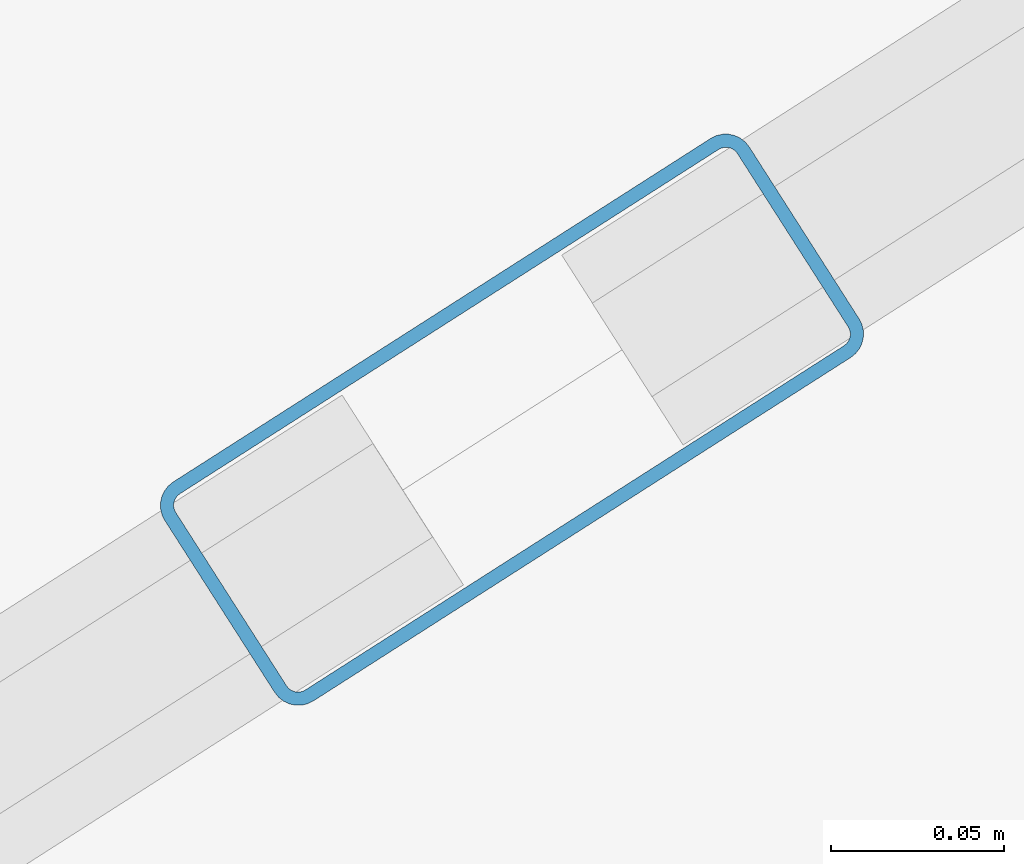
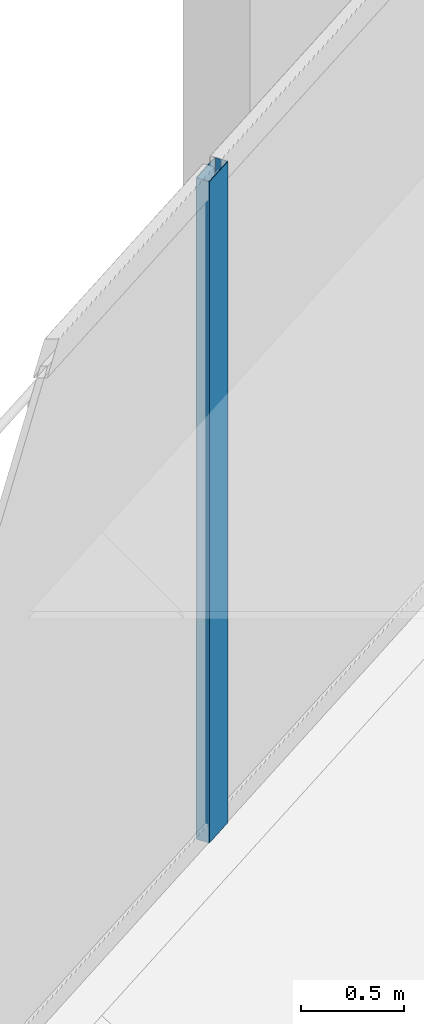
# One storey, part 14 of 44: 1 member, 1 element without a shape of its own.
"""IFC4 building model written with IfcOpenShell, lengths in metres."""

from ifc_helpers import new_model, si_unit, direction, frame, origin, origin_2d, place, context, subcontext, project, spatial, hollow_rectangle, extrude, material, layer, layer_set, material_profile, profile_set, type_object, element, aggregate, save


model = new_model("IFC4")

# Units and contexts
model_context = context("Model", 3, precision=1e-05, world=origin(), true_north=direction((0.0, 1.0)))
body_context = subcontext(model_context, "Body", "Model", "MODEL_VIEW")
ifc_project = project(units=[si_unit("LENGTHUNIT", "METRE"), si_unit("AREAUNIT", "SQUARE_METRE"), si_unit("VOLUMEUNIT", "CUBIC_METRE"), si_unit("PLANEANGLEUNIT", "RADIAN"), si_unit("MASSUNIT", "GRAM", prefix="KILO")], contexts=[model_context])

# Site, building, storey
site_placement = place(None, origin())
site = spatial("IfcSite", under=ifc_project, at=site_placement, CompositionType="ELEMENT")
building_placement = place(site_placement, origin())
building = spatial("IfcBuilding", under=site, at=building_placement, Name="Qorvath Tower", CompositionType="ELEMENT")
storey_placement = place(building_placement, frame((0.0, 0.0, 78.60009765625)))
storey = spatial("IfcBuildingStorey", under=building, at=storey_placement, Name="L17", CompositionType="ELEMENT", Elevation=78.60009765625)

# Curtain wall, member
ifc_material_1 = material(Name="Anodised aluminium and triple low-E glass", Category="aluminium")
ifc_layer = layer(ifc_material_1, 0.179931640625)
ifc_layer_set = layer_set([ifc_layer], Name="CW-SYS-5")
curtain_wall_type = type_object("IfcCurtainWallType", Name="CW-SYS-5", PredefinedType="NOTDEFINED", material=ifc_layer_set)
curtain_wall_placement = place(storey_placement, origin())
curtain_wall = element("IfcCurtainWall", 1, at=curtain_wall_placement, inside=storey, type_object=curtain_wall_type, Name="Curtain Wall CW-5 CW-T-L17-4.1", PredefinedType="NOTDEFINED")
ifc_material_2 = material(Name="Anodised aluminium 6063-T6", Category="aluminium")
ifc_material_profile = material_profile(ifc_material_2, hollow_rectangle(XDim=0.074951171875, YDim=0.199951171875, WallThickness=0.00390625, InnerFilletRadius=0.00390625, OuterFilletRadius=0.008056640625, at=origin_2d()), Name="CWM 200x75")
ifc_profile_set = profile_set([ifc_material_profile], Name="Anodised aluminium 6063-T6")
member_type = type_object("IfcMemberType", Name="CWM-200", PredefinedType="MULLION", material=ifc_profile_set)
member_placement = place(storey_placement, frame((-41.566650390625, 15.42578125, 0.0), z_axis=(0.0, 0.0, 1.0), x_axis=(0.538533373675, -0.842604180763, 0.0)))
member = element("IfcMember", 2, at=member_placement, type_object=member_type, Name="CW-5 mullion 6", PredefinedType="MULLION", context=body_context, shape_type="SweptSolid", body=[
    extrude(hollow_rectangle(XDim=0.074951171875, YDim=0.199951171875, WallThickness=0.00390625, InnerFilletRadius=0.00390625, OuterFilletRadius=0.008056640625, at=origin_2d()), origin(), (0.0, 0.0, 1.0), 3.919921875),
])
aggregate(curtain_wall, [member])

save(model, "model.ifc")
